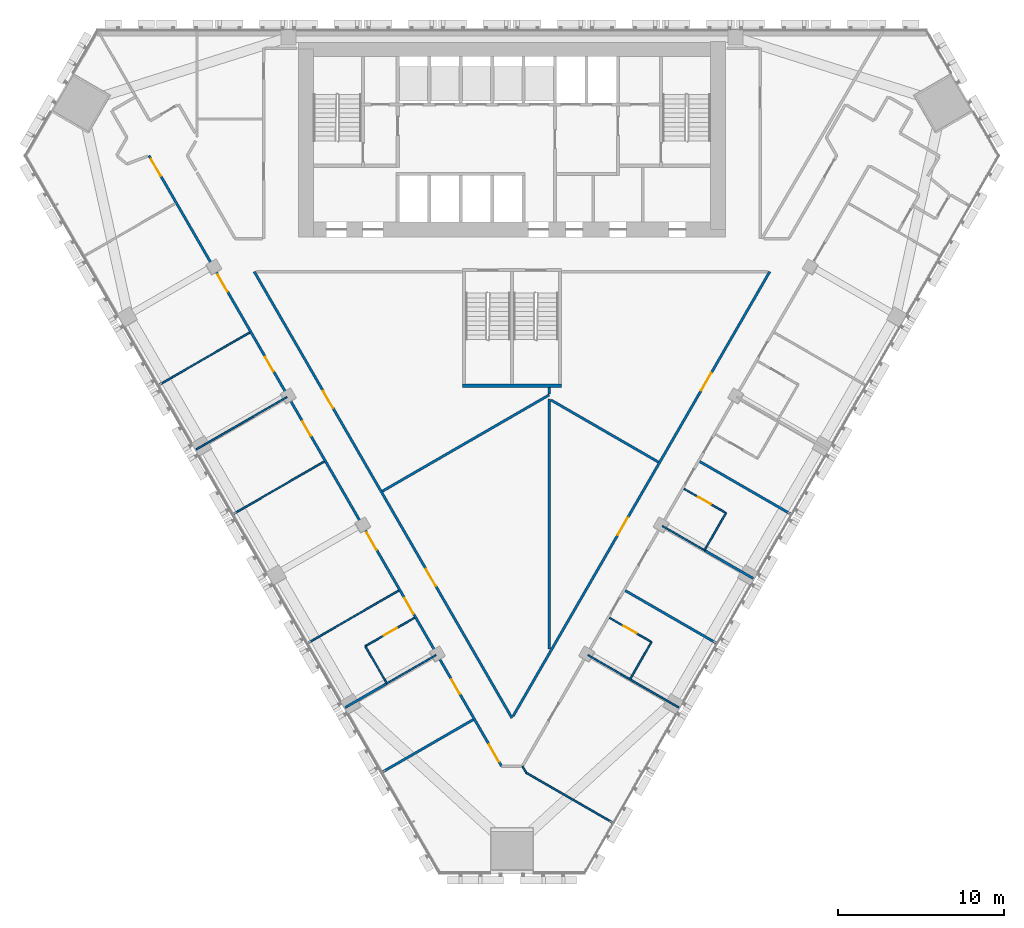
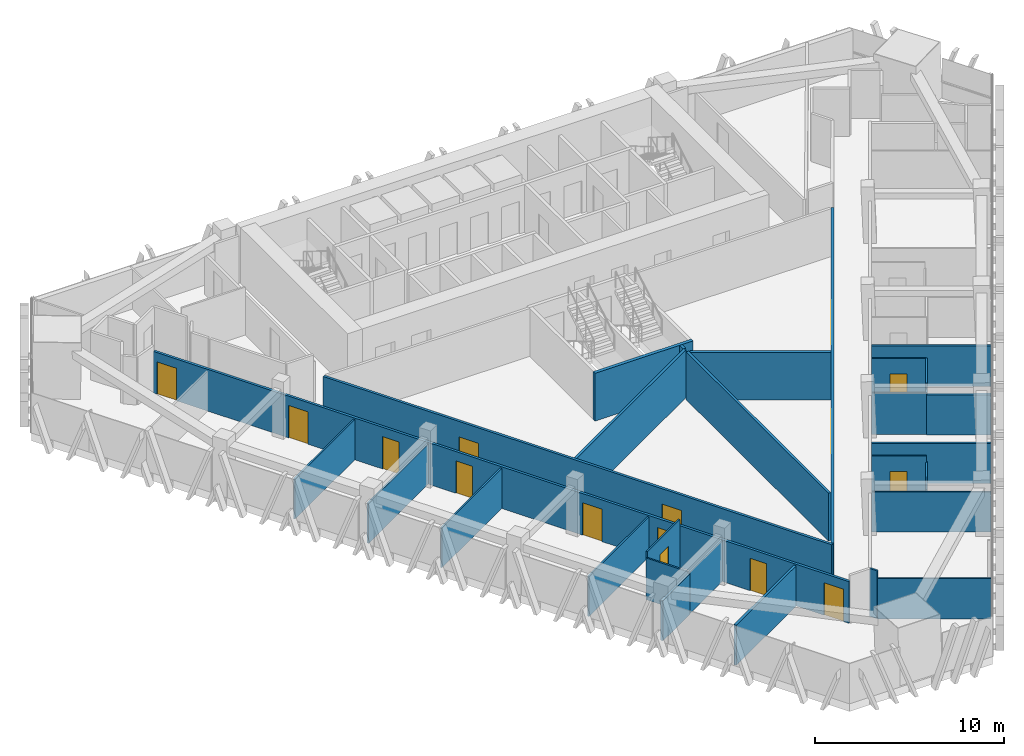
# One storey, part 9 of 16: 29 walls, 15 doors, 15 openings.
"""IFC4 building model written with IfcOpenShell, lengths in metres."""

from ifc_helpers import new_model, si_unit, direction, frame, frame_2d, origin, place, context, subcontext, project, spatial, rectangle, extrude, material, layer, layer_set, type_object, element, fill, save


model = new_model("IFC4")

# Units and contexts
model_context = context("Model", 3, precision=1e-05, world=origin(), true_north=direction((0.0, 1.0)))
body_context = subcontext(model_context, "Body", "Model", "MODEL_VIEW")
ifc_project = project(units=[si_unit("LENGTHUNIT", "METRE"), si_unit("AREAUNIT", "SQUARE_METRE"), si_unit("VOLUMEUNIT", "CUBIC_METRE"), si_unit("PLANEANGLEUNIT", "RADIAN"), si_unit("MASSUNIT", "GRAM", prefix="KILO")], contexts=[model_context])

# Site, building, storey
site_placement = place(None, origin())
site = spatial("IfcSite", under=ifc_project, at=site_placement, CompositionType="ELEMENT")
building_placement = place(site_placement, origin())
building = spatial("IfcBuilding", under=site, at=building_placement, Name="Altiplano Prism Tower", CompositionType="ELEMENT")
storey_placement = place(building_placement, frame((0.0, 0.0, 84.60009765625)))
storey = spatial("IfcBuildingStorey", under=building, at=storey_placement, Name="L21", CompositionType="ELEMENT", Elevation=84.60009765625)

# Wall
ifc_material_1 = material(Name="Plasterboard on steel stud", Category="steel")
ifc_layer_1 = layer(ifc_material_1, 0.10009765625)
ifc_layer_set_1 = layer_set([ifc_layer_1], Name="Plasterboard on steel stud")
wall_type_1 = type_object("IfcWallType", Name="Partition 100 unit", PredefinedType="PARTITIONING", material=ifc_layer_set_1)
wall_1_placement = place(storey_placement, frame((77.40380859375, 65.59033203125, 0.0), z_axis=(0.0, 0.0, 1.0), x_axis=(-0.499976333282, 0.866039067339, 0.0)))
element("IfcWall", 1, at=wall_1_placement, inside=storey, type_object=wall_type_1, Name="Partition P02 L21 050", PredefinedType="PARTITIONING", context=body_context, shape_type="SweptSolid", body=[
    extrude(rectangle(XDim=2.52490234375, YDim=0.10009765625, at=frame_2d((1.262451171875, 0.0))), origin(), (0.0, 0.0, 1.0), 2.699951171875),
])

# Wall, opening, door
wall_2_placement = place(storey_placement, frame((76.141357421875, 67.777099609375, 0.0), z_axis=(0.0, 0.0, 1.0), x_axis=(0.866032454348, 0.499987787867, 0.0)))
wall_2 = element("IfcWall", 2, at=wall_2_placement, inside=storey, type_object=wall_type_1, Name="Partition P02 L21 051", PredefinedType="PARTITIONING", context=body_context, shape_type="SweptSolid", body=[
    extrude(rectangle(XDim=3.4248046875, YDim=0.10009765625, at=frame_2d((1.71240234375, 0.0))), origin(), (0.0, 0.0, 1.0), 3.099853515625),
])
opening_1_placement = place(wall_2_placement, frame((1.300048828125, 0.0, 0.0)))
opening_1 = element("IfcOpeningElement", 3, at=opening_1_placement, cuts=wall_2, Name="Opening D0794", PredefinedType="OPENING", context=body_context, shape_type="SweptSolid", body=[
    extrude(rectangle(XDim=0.89990234375, YDim=2.10009765625, at=frame_2d((0.449951171875, 1.050048828125))), frame((0.0, 0.060546875, 0.0), z_axis=(0.0, -1.0, 0.0), x_axis=(1.0, 0.0, 0.0)), (0.0, 0.0, 1.0), 0.12109375),
])
ifc_material_2 = material(Name="Timber", Category="wood")
door_type_1 = type_object("IfcDoorType", Name="Accessible ensuite door 900 x 2100", OperationType="NOTDEFINED", PredefinedType="NOTDEFINED", material=ifc_material_2)
door_1_placement = place(opening_1_placement, origin())
door_1 = element("IfcDoor", 4, at=door_1_placement, inside=storey, type_object=door_type_1, Name="Door D0794", OperationType="SINGLE_SWING_RIGHT", OverallHeight=2.10009765625, OverallWidth=0.89990234375, PredefinedType="NOTDEFINED", context=body_context, shape_type="SweptSolid", body=[
    extrude(rectangle(XDim=0.89990234375, YDim=2.10009765625, at=frame_2d((0.449951171875, 1.050048828125))), frame((0.0, 0.02490234375, 0.0), z_axis=(0.0, -1.0, 0.0), x_axis=(1.0, 0.0, 0.0)), (0.0, 0.0, 1.0), 0.050048828125),
])
fill(opening_1, door_1)

wall_3_placement = place(storey_placement, frame((90.892578125, 69.489501953125, 0.0), z_axis=(0.0, 0.0, 1.0), x_axis=(0.866025730634, -0.499999433879, 0.0)))
wall_3 = element("IfcWall", 5, at=wall_3_placement, inside=storey, type_object=wall_type_1, Name="Partition P02 L21 058", PredefinedType="PARTITIONING", context=body_context, shape_type="SweptSolid", body=[
    extrude(rectangle(XDim=2.9248046875, YDim=0.10009765625, at=frame_2d((1.46240234375, 0.0))), origin(), (0.0, 0.0, 1.0), 3.099853515625),
])
opening_2_placement = place(wall_3_placement, frame((0.97509765625, 0.0, 0.0)))
opening_2 = element("IfcOpeningElement", 6, at=opening_2_placement, cuts=wall_3, Name="Opening D0799", PredefinedType="OPENING", context=body_context, shape_type="SweptSolid", body=[
    extrude(rectangle(XDim=0.89990234375, YDim=2.10009765625, at=frame_2d((0.449951171875, 1.050048828125))), frame((0.0, 0.060546875, 0.0), z_axis=(0.0, -1.0, 0.0), x_axis=(1.0, 0.0, 0.0)), (0.0, 0.0, 1.0), 0.12109375),
])
door_type_2 = type_object("IfcDoorType", Name="Ensuite door 900 x 2100", OperationType="NOTDEFINED", PredefinedType="NOTDEFINED", material=ifc_material_2)
door_2_placement = place(opening_2_placement, origin())
door_2 = element("IfcDoor", 7, at=door_2_placement, inside=storey, type_object=door_type_2, Name="Door D0799", OperationType="SINGLE_SWING_LEFT", OverallHeight=2.10009765625, OverallWidth=0.89990234375, PredefinedType="NOTDEFINED", context=body_context, shape_type="SweptSolid", body=[
    extrude(rectangle(XDim=0.89990234375, YDim=2.10009765625, at=frame_2d((0.449951171875, 1.050048828125))), frame((0.0, 0.02490234375, 0.0), z_axis=(0.0, -1.0, 0.0), x_axis=(1.0, 0.0, 0.0)), (0.0, 0.0, 1.0), 0.050048828125),
])
fill(opening_2, door_2)

# Wall
wall_4_placement = place(storey_placement, frame((93.425537109375, 68.027099609375, 0.0), z_axis=(0.0, 0.0, 1.0), x_axis=(-0.499948979701, -0.866054858364, 0.0)))
element("IfcWall", 8, at=wall_4_placement, inside=storey, type_object=wall_type_1, Name="Partition P02 L21 059", PredefinedType="PARTITIONING", context=body_context, shape_type="SweptSolid", body=[
    extrude(rectangle(XDim=2.550048828125, YDim=0.10009765625, at=frame_2d((1.27490234375, 0.0))), origin(), (0.0, 0.0, 1.0), 2.699951171875),
])

# Wall, opening, door
wall_5_placement = place(storey_placement, frame((95.392578125, 77.28369140625, 0.0), z_axis=(0.0, 0.0, 1.0), x_axis=(0.866025730634, -0.499999433879, 0.0)))
wall_5 = element("IfcWall", 9, at=wall_5_placement, inside=storey, type_object=wall_type_1, Name="Partition P02 L21 063", PredefinedType="PARTITIONING", context=body_context, shape_type="SweptSolid", body=[
    extrude(rectangle(XDim=2.9248046875, YDim=0.10009765625, at=frame_2d((1.46240234375, 0.0))), origin(), (0.0, 0.0, 1.0), 3.099853515625),
])
opening_3_placement = place(wall_5_placement, frame((0.97509765625, 0.0, 0.0)))
opening_3 = element("IfcOpeningElement", 10, at=opening_3_placement, cuts=wall_5, Name="Opening D0802", PredefinedType="OPENING", context=body_context, shape_type="SweptSolid", body=[
    extrude(rectangle(XDim=0.89990234375, YDim=2.10009765625, at=frame_2d((0.449951171875, 1.050048828125))), frame((0.0, 0.060546875, 0.0), z_axis=(0.0, -1.0, 0.0), x_axis=(1.0, 0.0, 0.0)), (0.0, 0.0, 1.0), 0.12109375),
])
door_3_placement = place(opening_3_placement, origin())
door_3 = element("IfcDoor", 11, at=door_3_placement, inside=storey, type_object=door_type_2, Name="Door D0802", OperationType="SINGLE_SWING_LEFT", OverallHeight=2.10009765625, OverallWidth=0.89990234375, PredefinedType="NOTDEFINED", context=body_context, shape_type="SweptSolid", body=[
    extrude(rectangle(XDim=0.89990234375, YDim=2.10009765625, at=frame_2d((0.449951171875, 1.050048828125))), frame((0.0, 0.02490234375, 0.0), z_axis=(0.0, -1.0, 0.0), x_axis=(1.0, 0.0, 0.0)), (0.0, 0.0, 1.0), 0.050048828125),
])
fill(opening_3, door_3)

# Walls
wall_6_placement = place(storey_placement, frame((97.925537109375, 75.8212890625, 0.0), z_axis=(0.0, 0.0, 1.0), x_axis=(-0.499952165731, -0.866053019151, 0.0)))
element("IfcWall", 12, at=wall_6_placement, inside=storey, type_object=wall_type_1, Name="Partition P02 L21 064", PredefinedType="PARTITIONING", context=body_context, shape_type="SweptSolid", body=[
    extrude(rectangle(XDim=2.300048828125, YDim=0.10009765625, at=frame_2d((1.14990234375, 0.0))), origin(), (0.0, 0.0, 1.0), 3.099853515625),
])
wall_7_placement = place(storey_placement, frame((96.775634765625, 73.829345703125, 0.0), z_axis=(0.0, 0.0, 1.0), x_axis=(-0.499816412211, -0.866131372301, 0.0)))
element("IfcWall", 13, at=wall_7_placement, inside=storey, type_object=wall_type_1, Name="Partition P02 L21 065", PredefinedType="PARTITIONING", context=body_context, shape_type="SweptSolid", body=[
    extrude(rectangle(XDim=0.2998046875, YDim=0.10009765625, at=frame_2d((0.14990234375, 0.0))), origin(), (0.0, 0.0, 1.0), 2.699951171875),
])
ifc_layer_2 = layer(ifc_material_1, 0.10009765625)
ifc_layer_set_2 = layer_set([ifc_layer_2], Name="Plasterboard on steel stud")
wall_type_2 = type_object("IfcWallType", Name="Partition 100 wet", PredefinedType="PARTITIONING", material=ifc_layer_set_2)
wall_8_placement = place(storey_placement, frame((63.662353515625, 83.55078125, 0.0), z_axis=(0.0, 0.0, 1.0), x_axis=(0.866025401434, 0.500000004071, 0.0)))
element("IfcWall", 14, at=wall_8_placement, inside=storey, type_object=wall_type_2, Name="Partition P03 L21 046", PredefinedType="PARTITIONING", context=body_context, shape_type="SweptSolid", body=[
    extrude(rectangle(XDim=6.34521484375, YDim=0.10009765625, at=frame_2d((3.172607421875, 0.0))), origin(), (0.0, 0.0, 1.0), 2.599853515625),
])
wall_9_placement = place(storey_placement, frame((65.929931640625, 79.663818359375, 0.0), z_axis=(0.0, 0.0, 1.0), x_axis=(0.866015887322, 0.500016482634, 0.0)))
element("IfcWall", 15, at=wall_9_placement, inside=storey, type_object=wall_type_2, Name="Partition P03 L21 047", PredefinedType="PARTITIONING", context=body_context, shape_type="SweptSolid", body=[
    extrude(rectangle(XDim=6.324951171875, YDim=0.10009765625, at=frame_2d((3.16259765625, 0.0))), origin(), (0.0, 0.0, 1.0), 2.599853515625),
])
for number, where, z_axis, x_axis, name in (
    (16, (68.162353515625, 75.756591796875, 0.0), (0.0, 0.0, 1.0), (0.866025401434, 0.500000004071, 0.0), "Partition P03 L21 048"),
    (17, (72.662353515625, 67.96240234375, 0.0), (0.0, 0.0, 1.0), (0.866025401434, 0.500000004071, 0.0), "Partition P03 L21 049"),
):
    element("IfcWall", number, at=place(storey_placement, frame(where, z_axis=z_axis, x_axis=x_axis)), inside=storey, type_object=wall_type_2, Name=name, PredefinedType="PARTITIONING", context=body_context, shape_type="SweptSolid", body=[
        extrude(rectangle(XDim=6.34521484375, YDim=0.10009765625, at=frame_2d((3.172607421875, 0.0))), origin(), (0.0, 0.0, 1.0), 2.599853515625),
    ])
wall_10_placement = place(storey_placement, frame((77.424072265625, 65.515380859375, 0.0), z_axis=(0.0, 0.0, 1.0), x_axis=(0.866032163869, 0.499988291006, 0.0)))
element("IfcWall", 18, at=wall_10_placement, inside=storey, type_object=wall_type_2, Name="Partition P03 L21 053", PredefinedType="PARTITIONING", context=body_context, shape_type="SweptSolid", body=[
    extrude(rectangle(XDim=3.44482421875, YDim=0.10009765625, at=frame_2d((1.722412109375, 0.0))), origin(), (0.0, 0.0, 1.0), 2.699951171875),
])
wall_11_placement = place(storey_placement, frame((91.076416015625, 57.11767578125, 0.0), z_axis=(0.0, 0.0, 1.0), x_axis=(-0.8660363663, 0.499981011885, 0.0)))
element("IfcWall", 19, at=wall_11_placement, inside=storey, type_object=wall_type_2, Name="Partition P03 L21 055", PredefinedType="PARTITIONING", context=body_context, shape_type="SweptSolid", body=[
    extrude(rectangle(XDim=6.021240234375, YDim=0.10009765625, at=frame_2d((3.0107421875, 0.0))), origin(), (0.0, 0.0, 1.0), 2.599853515625),
])
wall_12_placement = place(storey_placement, frame((85.86181640625, 60.128173828125, 0.0), z_axis=(0.0, 0.0, 1.0), x_axis=(-0.500242282693, 0.865885476611, 0.0)))
element("IfcWall", 20, at=wall_12_placement, inside=storey, type_object=wall_type_2, Name="Partition P03 L21 056", PredefinedType="PARTITIONING", context=body_context, shape_type="SweptSolid", body=[
    extrude(rectangle(XDim=0.460693359375, YDim=0.10009765625, at=frame_2d((0.23046875, 0.0))), origin(), (0.0, 0.0, 1.0), 3.099853515625),
])
wall_13_placement = place(storey_placement, frame((95.070068359375, 64.075439453125, 0.0), z_axis=(0.0, 0.0, 1.0), x_axis=(-0.866032601554, 0.49998753289, 0.0)))
element("IfcWall", 21, at=wall_13_placement, inside=storey, type_object=wall_type_2, Name="Partition P03 L21 057", PredefinedType="PARTITIONING", context=body_context, shape_type="SweptSolid", body=[
    extrude(rectangle(XDim=6.324951171875, YDim=0.10009765625, at=frame_2d((3.16259765625, 0.0))), origin(), (0.0, 0.0, 1.0), 2.599853515625),
])
wall_14_placement = place(storey_placement, frame((96.625732421875, 73.569580078125, 0.0), z_axis=(0.0, 0.0, 1.0), x_axis=(-0.86601045545, 0.500025890382, 0.0)))
element("IfcWall", 22, at=wall_14_placement, inside=storey, type_object=wall_type_2, Name="Partition P03 L21 062", PredefinedType="PARTITIONING", context=body_context, shape_type="SweptSolid", body=[
    extrude(rectangle(XDim=2.925048828125, YDim=0.10009765625, at=frame_2d((1.46240234375, 0.0))), origin(), (0.0, 0.0, 1.0), 2.699951171875),
])

# Wall, openings, doors
ifc_layer_3 = layer(ifc_material_1, 0.14990234375)
ifc_layer_set_3 = layer_set([ifc_layer_3], Name="Plasterboard on steel stud")
wall_type_3 = type_object("IfcWallType", Name="Partition 150 corridor", PredefinedType="PARTITIONING", material=ifc_layer_set_3)
wall_15_placement = place(storey_placement, frame((63.076416015625, 97.40625, 0.0), z_axis=(0.0, 0.0, 1.0), x_axis=(0.500000861629, -0.866024906322, 0.0)))
wall_15 = element("IfcWall", 23, at=wall_15_placement, inside=storey, type_object=wall_type_3, Name="Partition P06 L21 016", PredefinedType="PARTITIONING", context=body_context, shape_type="SweptSolid", body=[
    extrude(rectangle(XDim=42.58447265625, YDim=0.14990234375, at=frame_2d((21.292236328125, 0.0))), origin(), (0.0, 0.0, 1.0), 2.699951171875),
])
opening_4_placement = place(wall_15_placement, frame((0.22412109375, 0.0, 0.0)))
opening_4 = element("IfcOpeningElement", 24, at=opening_4_placement, cuts=wall_15, Name="Opening D0788", PredefinedType="OPENING", context=body_context, shape_type="SweptSolid", body=[
    extrude(rectangle(XDim=1.199951171875, YDim=2.10009765625, at=frame_2d((0.60009765625, 1.050048828125))), frame((0.0, 0.08544921875, 0.0), z_axis=(0.0, -1.0, 0.0), x_axis=(1.0, 0.0, 0.0)), (0.0, 0.0, 1.0), 0.1708984375),
])
opening_5_placement = place(wall_15_placement, frame((8.2919921875, 0.0, 0.0)))
opening_5 = element("IfcOpeningElement", 25, at=opening_5_placement, cuts=wall_15, Name="Opening D0789", PredefinedType="OPENING", context=body_context, shape_type="SweptSolid", body=[
    extrude(rectangle(XDim=1.199951171875, YDim=2.10009765625, at=frame_2d((0.60009765625, 1.050048828125))), frame((0.0, 0.08544921875, 0.0), z_axis=(0.0, -1.0, 0.0), x_axis=(1.0, 0.0, 0.0)), (0.0, 0.0, 1.0), 0.1708984375),
])
opening_6_placement = place(wall_15_placement, frame((14.0419921875, 0.0, 0.0)))
opening_6 = element("IfcOpeningElement", 26, at=opening_6_placement, cuts=wall_15, Name="Opening D0790", PredefinedType="OPENING", context=body_context, shape_type="SweptSolid", body=[
    extrude(rectangle(XDim=1.0, YDim=2.10009765625, at=frame_2d((0.5, 1.050048828125))), frame((0.0, 0.08544921875, 0.0), z_axis=(0.0, -1.0, 0.0), x_axis=(1.0, 0.0, 0.0)), (0.0, 0.0, 1.0), 0.1708984375),
])
opening_7_placement = place(wall_15_placement, frame((18.5419921875, 0.0, 0.0)))
opening_7 = element("IfcOpeningElement", 27, at=opening_7_placement, cuts=wall_15, Name="Opening D0791", PredefinedType="OPENING", context=body_context, shape_type="SweptSolid", body=[
    extrude(rectangle(XDim=1.0, YDim=2.10009765625, at=frame_2d((0.5, 1.050048828125))), frame((0.0, 0.08544921875, 0.0), z_axis=(0.0, -1.0, 0.0), x_axis=(1.0, 0.0, 0.0)), (0.0, 0.0, 1.0), 0.1708984375),
])
opening_8_placement = place(wall_15_placement, frame((26.2919921875, 0.0, 0.0)))
opening_8 = element("IfcOpeningElement", 28, at=opening_8_placement, cuts=wall_15, Name="Opening D0792", PredefinedType="OPENING", context=body_context, shape_type="SweptSolid", body=[
    extrude(rectangle(XDim=1.199951171875, YDim=2.10009765625, at=frame_2d((0.60009765625, 1.050048828125))), frame((0.0, 0.08544921875, 0.0), z_axis=(0.0, -1.0, 0.0), x_axis=(1.0, 0.0, 0.0)), (0.0, 0.0, 1.0), 0.1708984375),
])
opening_9_placement = place(wall_15_placement, frame((30.863037109375, 0.0, 0.0)))
opening_9 = element("IfcOpeningElement", 29, at=opening_9_placement, cuts=wall_15, Name="Opening D0793", PredefinedType="OPENING", context=body_context, shape_type="SweptSolid", body=[
    extrude(rectangle(XDim=1.10009765625, YDim=2.10009765625, at=frame_2d((0.550048828125, 1.050048828125))), frame((0.0, 0.08544921875, 0.0), z_axis=(0.0, -1.0, 0.0), x_axis=(1.0, 0.0, 0.0)), (0.0, 0.0, 1.0), 0.1708984375),
])
opening_10_placement = place(wall_15_placement, frame((36.5419921875, 0.0, 0.0)))
opening_10 = element("IfcOpeningElement", 30, at=opening_10_placement, cuts=wall_15, Name="Opening D0795", PredefinedType="OPENING", context=body_context, shape_type="SweptSolid", body=[
    extrude(rectangle(XDim=1.0, YDim=2.10009765625, at=frame_2d((0.5, 1.050048828125))), frame((0.0, 0.08544921875, 0.0), z_axis=(0.0, -1.0, 0.0), x_axis=(1.0, 0.0, 0.0)), (0.0, 0.0, 1.0), 0.1708984375),
])
opening_11_placement = place(wall_15_placement, frame((41.074951171875, 0.0, 0.0)))
opening_11 = element("IfcOpeningElement", 31, at=opening_11_placement, cuts=wall_15, Name="Opening D0796", PredefinedType="OPENING", context=body_context, shape_type="SweptSolid", body=[
    extrude(rectangle(XDim=1.199951171875, YDim=2.10009765625, at=frame_2d((0.60009765625, 1.050048828125))), frame((0.0, 0.08544921875, 0.0), z_axis=(0.0, -1.0, 0.0), x_axis=(1.0, 0.0, 0.0)), (0.0, 0.0, 1.0), 0.1708984375),
])
door_type_3 = type_object("IfcDoorType", Name="Accessible bedroom door 1100 x 2100", OperationType="NOTDEFINED", PredefinedType="NOTDEFINED", material=ifc_material_2)
door_4_placement = place(opening_9_placement, origin())
door_4 = element("IfcDoor", 32, at=door_4_placement, inside=storey, type_object=door_type_3, Name="Door D0793", OperationType="SINGLE_SWING_LEFT", OverallHeight=2.10009765625, OverallWidth=1.10009765625, PredefinedType="NOTDEFINED", context=body_context, shape_type="SweptSolid", body=[
    extrude(rectangle(XDim=1.10009765625, YDim=2.10009765625, at=frame_2d((0.550048828125, 1.050048828125))), frame((0.0, 0.02490234375, 0.0), z_axis=(0.0, -1.0, 0.0), x_axis=(1.0, 0.0, 0.0)), (0.0, 0.0, 1.0), 0.050048828125),
])
fill(opening_9, door_4)
door_type_4 = type_object("IfcDoorType", Name="Room door 1000 x 2100", OperationType="NOTDEFINED", PredefinedType="NOTDEFINED", material=ifc_material_2)
door_5_placement = place(opening_6_placement, origin())
door_5 = element("IfcDoor", 33, at=door_5_placement, inside=storey, type_object=door_type_4, Name="Door D0790", OperationType="SINGLE_SWING_RIGHT", OverallHeight=2.10009765625, OverallWidth=1.0, PredefinedType="NOTDEFINED", context=body_context, shape_type="SweptSolid", body=[
    extrude(rectangle(XDim=1.0, YDim=2.10009765625, at=frame_2d((0.5, 1.050048828125))), frame((0.0, 0.02490234375, 0.0), z_axis=(0.0, -1.0, 0.0), x_axis=(1.0, 0.0, 0.0)), (0.0, 0.0, 1.0), 0.050048828125),
])
fill(opening_6, door_5)
door_6_placement = place(opening_7_placement, origin())
door_6 = element("IfcDoor", 34, at=door_6_placement, inside=storey, type_object=door_type_4, Name="Door D0791", OperationType="SINGLE_SWING_LEFT", OverallHeight=2.10009765625, OverallWidth=1.0, PredefinedType="NOTDEFINED", context=body_context, shape_type="SweptSolid", body=[
    extrude(rectangle(XDim=1.0, YDim=2.10009765625, at=frame_2d((0.5, 1.050048828125))), frame((0.0, 0.02490234375, 0.0), z_axis=(0.0, -1.0, 0.0), x_axis=(1.0, 0.0, 0.0)), (0.0, 0.0, 1.0), 0.050048828125),
])
fill(opening_7, door_6)
door_7_placement = place(opening_10_placement, origin())
door_7 = element("IfcDoor", 35, at=door_7_placement, inside=storey, type_object=door_type_4, Name="Door D0795", OperationType="SINGLE_SWING_RIGHT", OverallHeight=2.10009765625, OverallWidth=1.0, PredefinedType="NOTDEFINED", context=body_context, shape_type="SweptSolid", body=[
    extrude(rectangle(XDim=1.0, YDim=2.10009765625, at=frame_2d((0.5, 1.050048828125))), frame((0.0, 0.02490234375, 0.0), z_axis=(0.0, -1.0, 0.0), x_axis=(1.0, 0.0, 0.0)), (0.0, 0.0, 1.0), 0.050048828125),
])
fill(opening_10, door_7)
door_type_5 = type_object("IfcDoorType", Name="Shared room door 1200 x 2100", OperationType="NOTDEFINED", PredefinedType="NOTDEFINED", material=ifc_material_2)
door_8_placement = place(opening_4_placement, origin())
door_8 = element("IfcDoor", 36, at=door_8_placement, inside=storey, type_object=door_type_5, Name="Door D0788", OperationType="SINGLE_SWING_LEFT", OverallHeight=2.10009765625, OverallWidth=1.199951171875, PredefinedType="NOTDEFINED", context=body_context, shape_type="SweptSolid", body=[
    extrude(rectangle(XDim=1.199951171875, YDim=2.10009765625, at=frame_2d((0.60009765625, 1.050048828125))), frame((0.0, 0.02490234375, 0.0), z_axis=(0.0, -1.0, 0.0), x_axis=(1.0, 0.0, 0.0)), (0.0, 0.0, 1.0), 0.050048828125),
])
fill(opening_4, door_8)
door_9_placement = place(opening_5_placement, origin())
door_9 = element("IfcDoor", 37, at=door_9_placement, inside=storey, type_object=door_type_5, Name="Door D0789", OperationType="SINGLE_SWING_LEFT", OverallHeight=2.10009765625, OverallWidth=1.199951171875, PredefinedType="NOTDEFINED", context=body_context, shape_type="SweptSolid", body=[
    extrude(rectangle(XDim=1.199951171875, YDim=2.10009765625, at=frame_2d((0.60009765625, 1.050048828125))), frame((0.0, 0.02490234375, 0.0), z_axis=(0.0, -1.0, 0.0), x_axis=(1.0, 0.0, 0.0)), (0.0, 0.0, 1.0), 0.050048828125),
])
fill(opening_5, door_9)
door_10_placement = place(opening_8_placement, origin())
door_10 = element("IfcDoor", 38, at=door_10_placement, inside=storey, type_object=door_type_5, Name="Door D0792", OperationType="SINGLE_SWING_LEFT", OverallHeight=2.10009765625, OverallWidth=1.199951171875, PredefinedType="NOTDEFINED", context=body_context, shape_type="SweptSolid", body=[
    extrude(rectangle(XDim=1.199951171875, YDim=2.10009765625, at=frame_2d((0.60009765625, 1.050048828125))), frame((0.0, 0.02490234375, 0.0), z_axis=(0.0, -1.0, 0.0), x_axis=(1.0, 0.0, 0.0)), (0.0, 0.0, 1.0), 0.050048828125),
])
fill(opening_8, door_10)
door_11_placement = place(opening_11_placement, origin())
door_11 = element("IfcDoor", 39, at=door_11_placement, inside=storey, type_object=door_type_5, Name="Door D0796", OperationType="SINGLE_SWING_LEFT", OverallHeight=2.10009765625, OverallWidth=1.199951171875, PredefinedType="NOTDEFINED", context=body_context, shape_type="SweptSolid", body=[
    extrude(rectangle(XDim=1.199951171875, YDim=2.10009765625, at=frame_2d((0.60009765625, 1.050048828125))), frame((0.0, 0.02490234375, 0.0), z_axis=(0.0, -1.0, 0.0), x_axis=(1.0, 0.0, 0.0)), (0.0, 0.0, 1.0), 0.050048828125),
])
fill(opening_11, door_11)

wall_16_placement = place(storey_placement, frame((85.0, 63.43359375, 0.0), z_axis=(0.0, 0.0, 1.0), x_axis=(-0.500002077952, 0.866024204075, 0.0)))
wall_16 = element("IfcWall", 40, at=wall_16_placement, inside=storey, type_object=wall_type_3, Name="Partition P06 L21 036", PredefinedType="PARTITIONING", context=body_context, shape_type="SweptSolid", body=[
    extrude(rectangle(XDim=31.137939453125, YDim=0.14990234375, at=frame_2d((15.56884765625, 0.0))), origin(), (0.0, 0.0, 1.0), 3.099853515625),
])
opening_12_placement = place(wall_16_placement, frame((21.614013671875, 0.0, 0.0)))
opening_12 = element("IfcOpeningElement", 41, at=opening_12_placement, cuts=wall_16, Name="Opening D0811", PredefinedType="OPENING", context=body_context, shape_type="SweptSolid", body=[
    extrude(rectangle(XDim=1.199951171875, YDim=2.10009765625, at=frame_2d((0.60009765625, 1.050048828125))), frame((0.0, 0.08544921875, 0.0), z_axis=(0.0, -1.0, 0.0), x_axis=(1.0, 0.0, 0.0)), (0.0, 0.0, 1.0), 0.1708984375),
])
opening_13_placement = place(wall_16_placement, frame((9.199951171875, 0.0, 0.0)))
opening_13 = element("IfcOpeningElement", 42, at=opening_13_placement, cuts=wall_16, Name="Opening D0812", PredefinedType="OPENING", context=body_context, shape_type="SweptSolid", body=[
    extrude(rectangle(XDim=1.199951171875, YDim=2.10009765625, at=frame_2d((0.60009765625, 1.050048828125))), frame((0.0, 0.08544921875, 0.0), z_axis=(0.0, -1.0, 0.0), x_axis=(1.0, 0.0, 0.0)), (0.0, 0.0, 1.0), 0.1708984375),
])
door_12_placement = place(opening_12_placement, origin())
door_12 = element("IfcDoor", 43, at=door_12_placement, inside=storey, type_object=door_type_5, Name="Door D0811", OperationType="SINGLE_SWING_RIGHT", OverallHeight=2.10009765625, OverallWidth=1.199951171875, PredefinedType="NOTDEFINED", context=body_context, shape_type="SweptSolid", body=[
    extrude(rectangle(XDim=1.199951171875, YDim=2.10009765625, at=frame_2d((0.60009765625, 1.050048828125))), frame((0.0, 0.02490234375, 0.0), z_axis=(0.0, -1.0, 0.0), x_axis=(1.0, 0.0, 0.0)), (0.0, 0.0, 1.0), 0.050048828125),
])
fill(opening_12, door_12)
door_13_placement = place(opening_13_placement, origin())
door_13 = element("IfcDoor", 44, at=door_13_placement, inside=storey, type_object=door_type_5, Name="Door D0812", OperationType="SINGLE_SWING_RIGHT", OverallHeight=2.10009765625, OverallWidth=1.199951171875, PredefinedType="NOTDEFINED", context=body_context, shape_type="SweptSolid", body=[
    extrude(rectangle(XDim=1.199951171875, YDim=2.10009765625, at=frame_2d((0.60009765625, 1.050048828125))), frame((0.0, 0.02490234375, 0.0), z_axis=(0.0, -1.0, 0.0), x_axis=(1.0, 0.0, 0.0)), (0.0, 0.0, 1.0), 0.050048828125),
])
fill(opening_13, door_13)

wall_17_placement = place(storey_placement, frame((100.569091796875, 90.39990234375, 0.0), z_axis=(0.0, 0.0, 1.0), x_axis=(-0.499999613165, -0.866025627124, 0.0)))
wall_17 = element("IfcWall", 45, at=wall_17_placement, inside=storey, type_object=wall_type_3, Name="Partition P06 L21 038", PredefinedType="PARTITIONING", context=body_context, shape_type="SweptSolid", body=[
    extrude(rectangle(XDim=31.00830078125, YDim=0.14990234375, at=frame_2d((15.504150390625, 0.0))), origin(), (0.0, 0.0, 1.0), 3.099853515625),
])
opening_14_placement = place(wall_17_placement, frame((7.077880859375, 0.0, 0.0)))
opening_14 = element("IfcOpeningElement", 46, at=opening_14_placement, cuts=wall_17, Name="Opening D0813", PredefinedType="OPENING", context=body_context, shape_type="SweptSolid", body=[
    extrude(rectangle(XDim=1.199951171875, YDim=2.10009765625, at=frame_2d((0.60009765625, 1.050048828125))), frame((0.0, 0.08544921875, 0.0), z_axis=(0.0, -1.0, 0.0), x_axis=(1.0, 0.0, 0.0)), (0.0, 0.0, 1.0), 0.1708984375),
])
opening_15_placement = place(wall_17_placement, frame((17.162109375, 0.0, 0.0)))
opening_15 = element("IfcOpeningElement", 47, at=opening_15_placement, cuts=wall_17, Name="Opening D0815", PredefinedType="OPENING", context=body_context, shape_type="SweptSolid", body=[
    extrude(rectangle(XDim=1.199951171875, YDim=2.10009765625, at=frame_2d((0.60009765625, 1.050048828125))), frame((0.0, 0.08544921875, 0.0), z_axis=(0.0, -1.0, 0.0), x_axis=(1.0, 0.0, 0.0)), (0.0, 0.0, 1.0), 0.1708984375),
])
door_14_placement = place(opening_14_placement, origin())
door_14 = element("IfcDoor", 48, at=door_14_placement, inside=storey, type_object=door_type_5, Name="Door D0813", OperationType="SINGLE_SWING_LEFT", OverallHeight=2.10009765625, OverallWidth=1.199951171875, PredefinedType="NOTDEFINED", context=body_context, shape_type="SweptSolid", body=[
    extrude(rectangle(XDim=1.199951171875, YDim=2.10009765625, at=frame_2d((0.60009765625, 1.050048828125))), frame((0.0, 0.02490234375, 0.0), z_axis=(0.0, -1.0, 0.0), x_axis=(1.0, 0.0, 0.0)), (0.0, 0.0, 1.0), 0.050048828125),
])
fill(opening_14, door_14)
door_15_placement = place(opening_15_placement, origin())
door_15 = element("IfcDoor", 49, at=door_15_placement, inside=storey, type_object=door_type_5, Name="Door D0815", OperationType="SINGLE_SWING_RIGHT", OverallHeight=2.10009765625, OverallWidth=1.199951171875, PredefinedType="NOTDEFINED", context=body_context, shape_type="SweptSolid", body=[
    extrude(rectangle(XDim=1.199951171875, YDim=2.10009765625, at=frame_2d((0.60009765625, 1.050048828125))), frame((0.0, 0.02490234375, 0.0), z_axis=(0.0, -1.0, 0.0), x_axis=(1.0, 0.0, 0.0)), (0.0, 0.0, 1.0), 0.050048828125),
])
fill(opening_15, door_15)

# Walls
ifc_layer_4 = layer(ifc_material_1, 0.14990234375)
ifc_layer_set_4 = layer_set([ifc_layer_4], Name="Plasterboard on steel stud")
wall_type_4 = type_object("IfcWallType", Name="Partition 150 party", PredefinedType="PARTITIONING", material=ifc_layer_set_4)
wall_18_placement = place(storey_placement, frame((74.929931640625, 64.075439453125, 0.0), z_axis=(0.0, 0.0, 1.0), x_axis=(0.866033125095, 0.499986626058, 0.0)))
element("IfcWall", 50, at=wall_18_placement, inside=storey, type_object=wall_type_4, Name="Partition P01 L21 052", PredefinedType="PARTITIONING", context=body_context, shape_type="SweptSolid", body=[
    extrude(rectangle(XDim=2.8798828125, YDim=0.14990234375, at=frame_2d((1.43994140625, 0.0))), origin(), (0.0, 0.0, 1.0), 2.599853515625),
])
for number, where, z_axis, x_axis, name in (
    (51, (77.162353515625, 60.168212890625, 0.0), (0.0, 0.0, 1.0), (0.866025401434, 0.500000004071, 0.0), "Partition P01 L21 054"),
    (52, (97.337646484375, 67.96240234375, 0.0), (0.0, 0.0, 1.0), (-0.866025401434, 0.500000004071, 0.0), "Partition P01 L21 060"),
):
    element("IfcWall", number, at=place(storey_placement, frame(where, z_axis=z_axis, x_axis=x_axis)), inside=storey, type_object=wall_type_4, Name=name, PredefinedType="PARTITIONING", context=body_context, shape_type="SweptSolid", body=[
        extrude(rectangle(XDim=6.34521484375, YDim=0.14990234375, at=frame_2d((3.172607421875, 0.0))), origin(), (0.0, 0.0, 1.0), 2.599853515625),
    ])
wall_19_placement = place(storey_placement, frame((99.570068359375, 71.86962890625, 0.0), z_axis=(0.0, 0.0, 1.0), x_axis=(-0.866020560687, 0.500008388397, 0.0)))
element("IfcWall", 53, at=wall_19_placement, inside=storey, type_object=wall_type_4, Name="Partition P01 L21 061", PredefinedType="PARTITIONING", context=body_context, shape_type="SweptSolid", body=[
    extrude(rectangle(XDim=3.39990234375, YDim=0.14990234375, at=frame_2d((1.699951171875, 0.0))), origin(), (0.0, 0.0, 1.0), 2.599853515625),
])
wall_20_placement = place(storey_placement, frame((101.837646484375, 75.756591796875, 0.0), z_axis=(0.0, 0.0, 1.0), x_axis=(-0.866025401434, 0.500000004071, 0.0)))
element("IfcWall", 54, at=wall_20_placement, inside=storey, type_object=wall_type_4, Name="Partition P01 L21 066", PredefinedType="PARTITIONING", context=body_context, shape_type="SweptSolid", body=[
    extrude(rectangle(XDim=6.34521484375, YDim=0.14990234375, at=frame_2d((3.172607421875, 0.0))), origin(), (0.0, 0.0, 1.0), 2.599853515625),
])
wall_21_placement = place(storey_placement, frame((77.174072265625, 77.138427734375, 0.0), z_axis=(0.0, 0.0, 1.0), x_axis=(0.866022389342, 0.500005221131, 0.0)))
element("IfcWall", 55, at=wall_21_placement, inside=storey, type_object=wall_type_4, Name="Partition P01 L21 078", PredefinedType="PARTITIONING", context=body_context, shape_type="SweptSolid", body=[
    extrude(rectangle(XDim=11.63427734375, YDim=0.14990234375, at=frame_2d((5.817138671875, 0.0))), origin(), (0.0, 0.0, 1.0), 3.099853515625),
])
wall_22_placement = place(storey_placement, frame((87.24951171875, 83.0205078125, 0.0), z_axis=(0.0, 0.0, 1.0), x_axis=(0.0, 1.0, 0.0)))
element("IfcWall", 56, at=wall_22_placement, inside=storey, type_object=wall_type_4, Name="Partition P01 L21 079", PredefinedType="PARTITIONING", context=body_context, shape_type="SweptSolid", body=[
    extrude(rectangle(XDim=0.37939453125, YDim=0.14990234375, at=frame_2d((0.189697265625, 0.0))), origin(), (0.0, 0.0, 1.0), 3.099853515625),
])
wall_23_placement = place(storey_placement, frame((87.24951171875, 67.609619140625, 0.0), z_axis=(0.0, 0.0, 1.0), x_axis=(0.0, 1.0, 0.0)))
element("IfcWall", 57, at=wall_23_placement, inside=storey, type_object=wall_type_4, Name="Partition P01 L21 080", PredefinedType="PARTITIONING", context=body_context, shape_type="SweptSolid", body=[
    extrude(rectangle(XDim=15.095458984375, YDim=0.14990234375, at=frame_2d((7.5478515625, 0.0))), origin(), (0.0, 0.0, 1.0), 3.099853515625),
])
wall_24_placement = place(storey_placement, frame((87.362060546875, 82.64013671875, 0.0), z_axis=(0.0, 0.0, 1.0), x_axis=(0.86601986834, -0.500009587549, 0.0)))
element("IfcWall", 58, at=wall_24_placement, inside=storey, type_object=wall_type_4, Name="Partition P01 L21 081", PredefinedType="PARTITIONING", context=body_context, shape_type="SweptSolid", body=[
    extrude(rectangle(XDim=7.482666015625, YDim=0.14990234375, at=frame_2d((3.7412109375, 0.0))), origin(), (0.0, 0.0, 1.0), 3.099853515625),
])
ifc_material_3 = material(Name="Concrete C60/75", Category="concrete")
ifc_layer_5 = layer(ifc_material_3, 0.199951171875)
ifc_layer_set_5 = layer_set([ifc_layer_5], Name="Concrete C60/75")
wall_type_5 = type_object("IfcWallType", Name="Stair wall 200", PredefinedType="SOLIDWALL", material=ifc_layer_set_5)
wall_25_placement = place(storey_placement, frame((82.0, 83.5, 0.0), z_axis=(0.0, 0.0, 1.0), x_axis=(1.0, 0.0, 0.0)))
element("IfcWall", 59, at=wall_25_placement, inside=storey, type_object=wall_type_5, Name="Stair 3 wall south L21", PredefinedType="SOLIDWALL", context=body_context, shape_type="SweptSolid", body=[
    extrude(rectangle(XDim=6.0, YDim=0.199951171875, at=frame_2d((3.0, 0.0))), origin(), (0.0, 0.0, 1.0), 3.099853515625),
])

save(model, "model.ifc")
